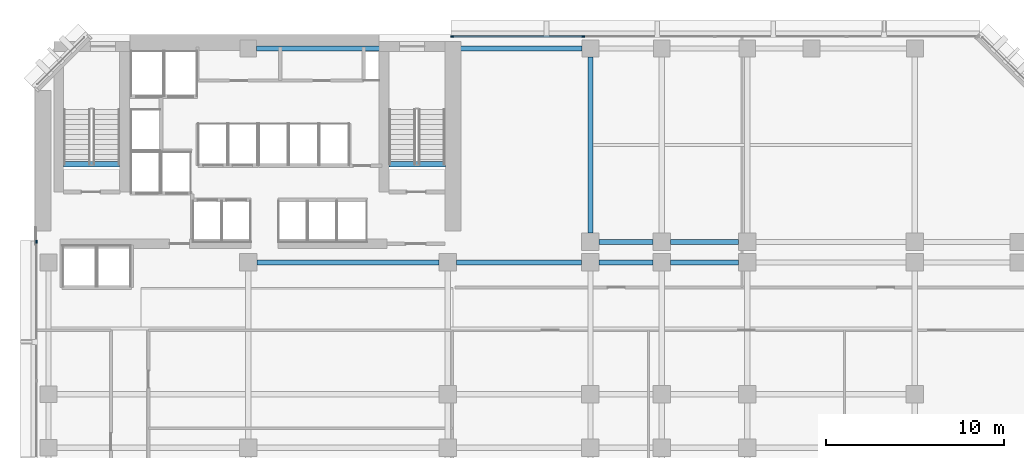
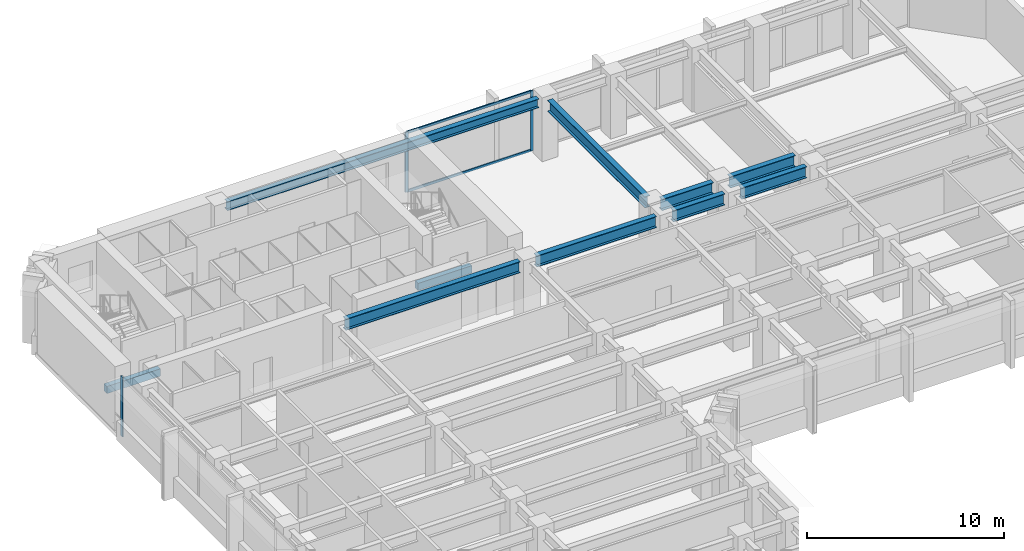
# One storey, part 4 of 13: 10 beams, 5 members, 2 elements without a shape of their own.
"""IFC4 building model written with IfcOpenShell, lengths in metres."""

from ifc_helpers import new_model, si_unit, direction, frame, origin, origin_2d, place, context, subcontext, project, spatial, rectangle, i_section, extrude, material, layer, layer_set, material_profile, profile_set, type_object, element, aggregate, save


model = new_model("IFC4")

# Units and contexts
model_context = context("Model", 3, precision=1e-05, world=origin(), true_north=direction((0.0, 1.0)))
body_context = subcontext(model_context, "Body", "Model", "MODEL_VIEW")
ifc_project = project(units=[si_unit("LENGTHUNIT", "METRE"), si_unit("AREAUNIT", "SQUARE_METRE"), si_unit("VOLUMEUNIT", "CUBIC_METRE"), si_unit("PLANEANGLEUNIT", "RADIAN"), si_unit("MASSUNIT", "GRAM", prefix="KILO")], contexts=[model_context])

# Site, building, storey
site_placement = place(None, origin())
site = spatial("IfcSite", under=ifc_project, at=site_placement, CompositionType="ELEMENT")
building_placement = place(site_placement, origin())
building = spatial("IfcBuilding", under=site, at=building_placement, Name="Kefirva Bronze Tower", CompositionType="ELEMENT")
storey_placement = place(building_placement, frame((0.0, 0.0, 30.360107421875)))
storey = spatial("IfcBuildingStorey", under=building, at=storey_placement, Name="L06", CompositionType="ELEMENT", Elevation=30.360107421875)

# Curtain wall, members
ifc_material_1 = material(Name="Bronze anodised aluminium", Category="aluminium")
ifc_layer = layer(ifc_material_1, 0.199951171875, Name="Bronze anodised aluminium")
ifc_layer_set = layer_set([ifc_layer], Name="Bronze anodised aluminium")
curtain_wall_type = type_object("IfcCurtainWallType", Name="Unitised Bronze Ribbon Curtain Wall Zone 1", PredefinedType="USERDEFINED", material=ifc_layer_set)
curtain_wall_1_placement = place(storey_placement, origin())
curtain_wall_1 = element("IfcCurtainWall", 1, at=curtain_wall_1_placement, inside=storey, type_object=curtain_wall_type, Name="L06 Curtain Wall 3", ObjectType="UNITISED CURTAIN WALL", PredefinedType="USERDEFINED")
ifc_material_profile_1 = material_profile(ifc_material_1, rectangle(XDim=0.074951171875, YDim=0.179931640625, at=origin_2d()), Name="ALU 75x180")
ifc_profile_set_1 = profile_set([ifc_material_profile_1], Name="Bronze anodised aluminium")
member_type_1 = type_object("IfcMemberType", Name="Bronze Mullion 75x180", PredefinedType="MULLION", material=ifc_profile_set_1)
member_1_placement = place(storey_placement, frame((30.7900390625, 45.8798828125, 0.0), z_axis=(0.0, 0.0, 1.0), x_axis=(0.0, -1.0, 0.0)))
member_1 = element("IfcMember", 2, at=member_1_placement, type_object=member_type_1, Name="CW-01 mullion 4", PredefinedType="MULLION", context=body_context, shape_type="SweptSolid", body=[
    extrude(rectangle(XDim=0.074951171875, YDim=0.179931640625, at=origin_2d()), origin(), (0.0, 0.0, 1.0), 3.7099609375),
])
member_2_placement = place(storey_placement, frame((23.4423828125, 45.8798828125, 0.0), z_axis=(0.0, 0.0, 1.0), x_axis=(0.0, -1.0, 0.0)))
member_2 = element("IfcMember", 3, at=member_2_placement, type_object=member_type_1, Name="CW-01 mullion 5", PredefinedType="MULLION", context=body_context, shape_type="SweptSolid", body=[
    extrude(rectangle(XDim=0.074951171875, YDim=0.179931640625, at=origin_2d()), origin(), (0.0, 0.0, 1.0), 3.7099609375),
])

# Curtain wall, member
curtain_wall_2_placement = place(storey_placement, origin())
curtain_wall_2 = element("IfcCurtainWall", 4, at=curtain_wall_2_placement, inside=storey, type_object=curtain_wall_type, Name="L06 Curtain Wall 4", ObjectType="UNITISED CURTAIN WALL", PredefinedType="USERDEFINED")
member_3_placement = place(storey_placement, frame((0.1201171875, 34.357421875, 0.0), z_axis=(0.0, 0.0, 1.0), x_axis=(1.0, 0.0, 0.0)))
member_3 = element("IfcMember", 5, at=member_3_placement, type_object=member_type_1, Name="CW-01 mullion 1", PredefinedType="MULLION", context=body_context, shape_type="SweptSolid", body=[
    extrude(rectangle(XDim=0.074951171875, YDim=0.179931640625, at=origin_2d()), origin(), (0.0, 0.0, 1.0), 3.7099609375),
])
aggregate(curtain_wall_2, [member_3])

# Member
ifc_material_profile_2 = material_profile(ifc_material_1, rectangle(XDim=0.074951171875, YDim=0.14990234375, at=origin_2d()), Name="ALU 75x150")
ifc_profile_set_2 = profile_set([ifc_material_profile_2], Name="Bronze anodised aluminium")
member_type_2 = type_object("IfcMemberType", Name="Bronze Transom 75x150", PredefinedType="USERDEFINED", material=ifc_profile_set_2)
member_4_placement = place(storey_placement, frame((30.75244140625, 45.8798828125, 0.037353515625), z_axis=(-1.0, 0.0, 0.0), x_axis=(0.0, -1.0, 0.0)))
member_4 = element("IfcMember", 6, at=member_4_placement, type_object=member_type_2, Name="CW-01 transom 4.1", ObjectType="TRANSOM", PredefinedType="USERDEFINED", context=body_context, shape_type="SweptSolid", body=[
    extrude(rectangle(XDim=0.074951171875, YDim=0.14990234375, at=origin_2d()), origin(), (0.0, 0.0, 1.0), 7.2724609375),
])

member_5_placement = place(storey_placement, frame((30.75244140625, 45.8798828125, 3.67236328125), z_axis=(-1.0, 0.0, 0.0), x_axis=(0.0, -1.0, 0.0)))
member_5 = element("IfcMember", 7, at=member_5_placement, type_object=member_type_2, Name="CW-01 transom 4.2", ObjectType="TRANSOM", PredefinedType="USERDEFINED", context=body_context, shape_type="SweptSolid", body=[
    extrude(rectangle(XDim=0.074951171875, YDim=0.14990234375, at=origin_2d()), origin(), (0.0, 0.0, 1.0), 7.2724609375),
])

aggregate(curtain_wall_1, [member_1, member_2, member_4, member_5])

# Beams
ifc_material_2 = material(Name="Concrete C50/60", Category="concrete")
ifc_material_profile_3 = material_profile(ifc_material_2, rectangle(XDim=0.300048828125, YDim=0.449951171875, at=origin_2d()), Name="RC 300x450")
ifc_profile_set_3 = profile_set([ifc_material_profile_3], Name="Concrete C50/60")
beam_type_1 = type_object("IfcBeamType", Name="RC Stair Trimmer Beam 300x450", PredefinedType="BEAM", material=ifc_profile_set_3)
beam_1_placement = place(storey_placement, frame((1.64501953125, 38.699951171875, -0.22509765625), z_axis=(1.0, 0.0, 0.0), x_axis=(0.0, 1.0, 0.0)))
element("IfcBeam", 8, at=beam_1_placement, inside=storey, type_object=beam_type_1, Name="L06 Stair 1 Landing Trimmer Beam", PredefinedType="BEAM", context=body_context, shape_type="SweptSolid", body=[
    extrude(rectangle(XDim=0.300048828125, YDim=0.449951171875, at=origin_2d()), origin(), (0.0, 0.0, 1.0), 3.14990234375),
])
beam_2_placement = place(storey_placement, frame((19.89501953125, 38.699951171875, -0.22509765625), z_axis=(1.0, 0.0, 0.0), x_axis=(0.0, 1.0, 0.0)))
element("IfcBeam", 9, at=beam_2_placement, inside=storey, type_object=beam_type_1, Name="L06 Stair 2 Landing Trimmer Beam", PredefinedType="BEAM", context=body_context, shape_type="SweptSolid", body=[
    extrude(rectangle(XDim=0.300048828125, YDim=0.449951171875, at=origin_2d()), origin(), (0.0, 0.0, 1.0), 3.159912109375),
])
ifc_material_3 = material(Name="Steel S355", Category="steel")
ifc_material_profile_4 = material_profile(ifc_material_3, i_section(OverallWidth=0.300048828125, OverallDepth=0.699951171875, WebThickness=0.01708984375, FlangeThickness=0.031982421875, at=origin_2d()), Name="HEB 700")
ifc_profile_set_4 = profile_set([ifc_material_profile_4], Name="Steel S355")
beam_type_2 = type_object("IfcBeamType", Name="Steel Girder HEB 700", PredefinedType="USERDEFINED", material=ifc_profile_set_4)
beam_3_placement = place(storey_placement, frame((12.489990234375, 33.199951171875, 3.35986328125), z_axis=(1.0, 0.0, 0.0), x_axis=(0.0, 1.0, 0.0)))
element("IfcBeam", 10, at=beam_3_placement, inside=storey, type_object=beam_type_2, Name="L06 BM-L06-EW-12-332", ObjectType="GIRDER", PredefinedType="USERDEFINED", context=body_context, shape_type="SweptSolid", body=[
    extrude(i_section(OverallWidth=0.300048828125, OverallDepth=0.699951171875, WebThickness=0.01708984375, FlangeThickness=0.031982421875, at=origin_2d()), origin(), (0.0, 0.0, 1.0), 10.219970703125),
])
beam_4_placement = place(storey_placement, frame((23.68994140625, 33.199951171875, 3.35986328125), z_axis=(1.0, 0.0, 0.0), x_axis=(0.0, 1.0, 0.0)))
element("IfcBeam", 11, at=beam_4_placement, inside=storey, type_object=beam_type_2, Name="L06 BM-L06-EW-23-332", ObjectType="GIRDER", PredefinedType="USERDEFINED", context=body_context, shape_type="SweptSolid", body=[
    extrude(i_section(OverallWidth=0.300048828125, OverallDepth=0.699951171875, WebThickness=0.01708984375, FlangeThickness=0.031982421875, at=origin_2d()), origin(), (0.0, 0.0, 1.0), 7.02001953125),
])
beam_5_placement = place(storey_placement, frame((31.68994140625, 33.199951171875, 3.35986328125), z_axis=(1.0, 0.0, 0.0), x_axis=(0.0, 1.0, 0.0)))
element("IfcBeam", 12, at=beam_5_placement, inside=storey, type_object=beam_type_2, Name="L06 BM-L06-EW-31-332", ObjectType="GIRDER", PredefinedType="USERDEFINED", context=body_context, shape_type="SweptSolid", body=[
    extrude(i_section(OverallWidth=0.300048828125, OverallDepth=0.699951171875, WebThickness=0.01708984375, FlangeThickness=0.031982421875, at=origin_2d()), origin(), (0.0, 0.0, 1.0), 3.02001953125),
])
beam_6_placement = place(storey_placement, frame((35.68994140625, 33.199951171875, 3.35986328125), z_axis=(1.0, 0.0, 0.0), x_axis=(0.0, 1.0, 0.0)))
element("IfcBeam", 13, at=beam_6_placement, inside=storey, type_object=beam_type_2, Name="L06 BM-L06-EW-35-332", ObjectType="GIRDER", PredefinedType="USERDEFINED", context=body_context, shape_type="SweptSolid", body=[
    extrude(i_section(OverallWidth=0.300048828125, OverallDepth=0.699951171875, WebThickness=0.01708984375, FlangeThickness=0.031982421875, at=origin_2d()), origin(), (0.0, 0.0, 1.0), 3.820068359375),
])
beam_7_placement = place(storey_placement, frame((31.68994140625, 34.35009765625, 3.35986328125), z_axis=(1.0, 0.0, 0.0), x_axis=(0.0, 1.0, 0.0)))
element("IfcBeam", 14, at=beam_7_placement, inside=storey, type_object=beam_type_2, Name="L06 BM-L06-EW-31-344", ObjectType="GIRDER", PredefinedType="USERDEFINED", context=body_context, shape_type="SweptSolid", body=[
    extrude(i_section(OverallWidth=0.300048828125, OverallDepth=0.699951171875, WebThickness=0.01708984375, FlangeThickness=0.031982421875, at=origin_2d()), origin(), (0.0, 0.0, 1.0), 3.02001953125),
])
beam_8_placement = place(storey_placement, frame((35.68994140625, 34.35009765625, 3.35986328125), z_axis=(1.0, 0.0, 0.0), x_axis=(0.0, 1.0, 0.0)))
element("IfcBeam", 15, at=beam_8_placement, inside=storey, type_object=beam_type_2, Name="L06 BM-L06-EW-35-344", ObjectType="GIRDER", PredefinedType="USERDEFINED", context=body_context, shape_type="SweptSolid", body=[
    extrude(i_section(OverallWidth=0.300048828125, OverallDepth=0.699951171875, WebThickness=0.01708984375, FlangeThickness=0.031982421875, at=origin_2d()), origin(), (0.0, 0.0, 1.0), 3.820068359375),
])
beam_9_placement = place(storey_placement, frame((31.199951171875, 34.840087890625, 3.35986328125), z_axis=(0.0, 1.0, 0.0), x_axis=(-1.0, 0.0, 0.0)))
element("IfcBeam", 16, at=beam_9_placement, inside=storey, type_object=beam_type_2, Name="L06 BM-L06-NS-312-34", ObjectType="GIRDER", PredefinedType="USERDEFINED", context=body_context, shape_type="SweptSolid", body=[
    extrude(i_section(OverallWidth=0.300048828125, OverallDepth=0.699951171875, WebThickness=0.01708984375, FlangeThickness=0.031982421875, at=origin_2d()), origin(), (0.0, 0.0, 1.0), 9.889892578125),
])
ifc_material_profile_5 = material_profile(ifc_material_3, i_section(OverallWidth=0.300048828125, OverallDepth=0.550048828125, WebThickness=0.014892578125, FlangeThickness=0.029052734375, at=origin_2d()), Name="HEB 550")
ifc_profile_set_5 = profile_set([ifc_material_profile_5], Name="Steel S355")
beam_type_3 = type_object("IfcBeamType", Name="Steel Spandrel HEB 550 Ext", PredefinedType="SPANDREL", material=ifc_profile_set_5)
beam_10_placement = place(storey_placement, frame((12.469970703125, 45.199951171875, 3.434814453125), z_axis=(1.0, 0.0, 0.0), x_axis=(0.0, 1.0, 0.0)))
element("IfcBeam", 17, at=beam_10_placement, inside=storey, type_object=beam_type_3, Name="L06 BM-L06-EW-12-452", PredefinedType="SPANDREL", context=body_context, shape_type="SweptSolid", body=[
    extrude(i_section(OverallWidth=0.300048828125, OverallDepth=0.550048828125, WebThickness=0.014892578125, FlangeThickness=0.029052734375, at=origin_2d()), origin(), (0.0, 0.0, 1.0), 18.260009765625),
])

save(model, "model.ifc")
